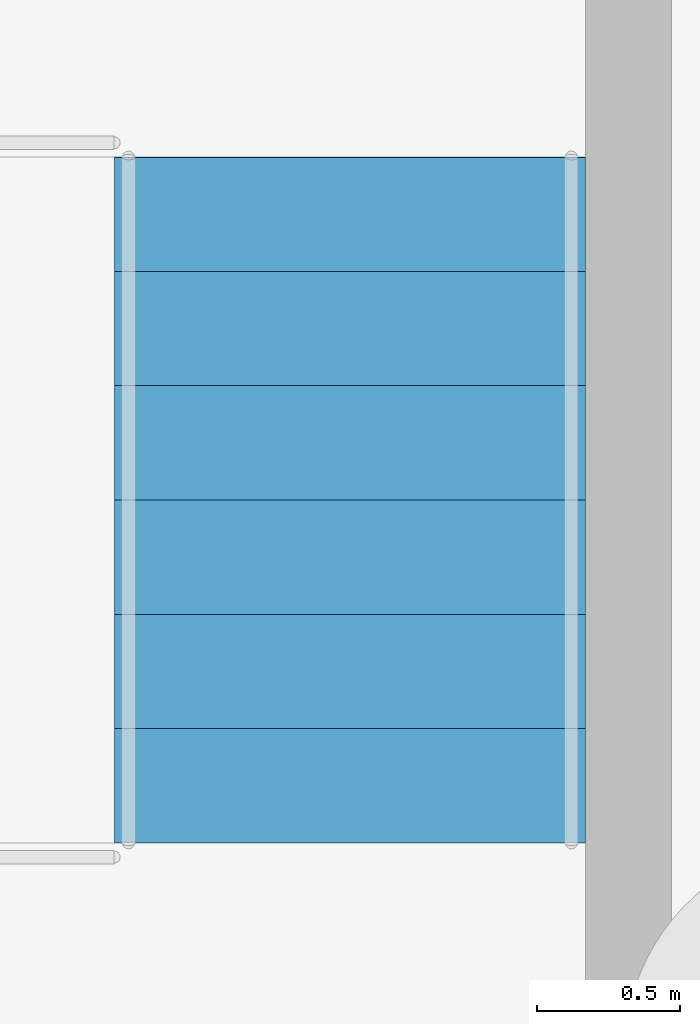
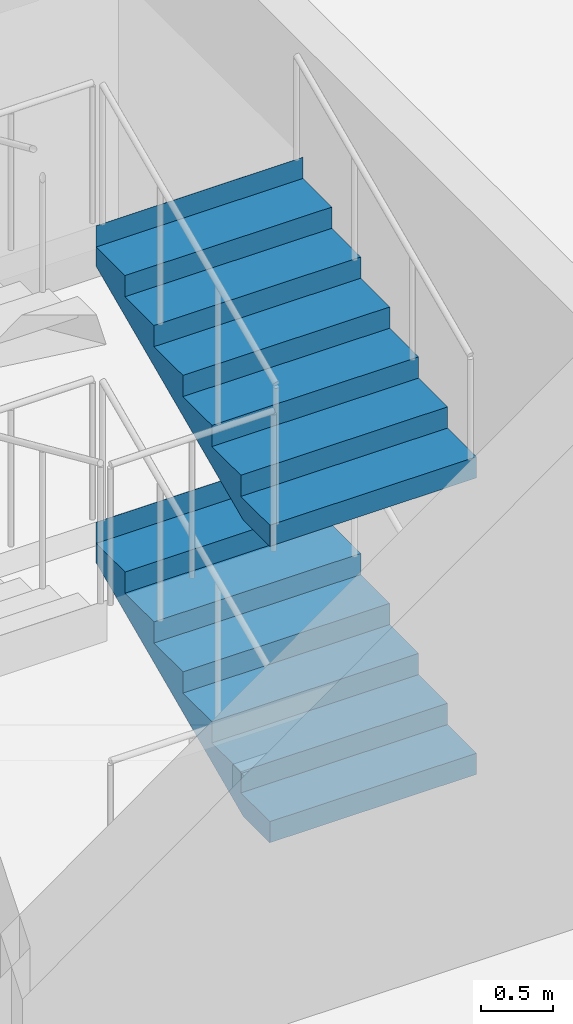
# One storey, part 16 of 19: 2 stair flights, 1 element without a shape of its own.
"""IFC4 building model written with IfcOpenShell, lengths in metres."""

import ifcopenshell
import ifcopenshell.guid

model = None  # the IFC model being written
_history = None  # IfcOwnerHistory: only IFC2X3 demands one
_inside = {}  # id of a spatial element -> (the spatial element, [elements in it])
_under = {}  # id of a project, library or spatial element -> (it, [spatial elements below it])
_declared = {}  # id of a project -> (the project, [libraries it declares])
_typed = {}  # id of a type object -> (the type object, [elements of that type])
_made_of = {}  # id of a material, layer set ... -> (it, [elements and type objects made of it])


def new_model(schema):
    """Start an empty IFC model of exactly this schema.

    Asked for "IFC4X3", IfcOpenShell would pick the latest addendum, in which some entities
    have other attributes; the version numbers below select the first issue.
    IFC2X3 requires an IfcOwnerHistory on every rooted entity: one is made here for all.
    """
    global model, _history
    if schema == "IFC4X3":
        model = ifcopenshell.file(schema_version=(4, 3, 0, 0))
    else:
        model = ifcopenshell.file(schema=schema)
    _inside.clear()
    _under.clear()
    _declared.clear()
    _typed.clear()
    _made_of.clear()
    _history = None
    if model.schema == "IFC2X3":
        org = make("IfcOrganization", Name="unknown")
        user = make(
            "IfcPersonAndOrganization",
            ThePerson=make("IfcPerson", FamilyName="unknown"),
            TheOrganization=org,
        )
        app = make(
            "IfcApplication",
            ApplicationDeveloper=org,
            Version="unknown",
            ApplicationFullName="unknown",
            ApplicationIdentifier="unknown",
        )
        _history = make(
            "IfcOwnerHistory",
            OwningUser=user,
            OwningApplication=app,
            ChangeAction="ADDED",
            CreationDate=0,
        )
    return model


def make(cls, **values):
    """One entity of the class cls with the attributes given. An attribute that is None is left unset."""
    return model.create_entity(
        cls, **{name: value for name, value in values.items() if value is not None}
    )


def rooted(cls, **values):
    """An entity with a GlobalId (a new one), such as an element, a storey or a relation."""
    return make(cls, GlobalId=ifcopenshell.guid.new(), OwnerHistory=_history, **values)


def si_unit(unit_type, name, prefix=None):
    """IfcSIUnit, for example si_unit("LENGTHUNIT", "METRE", prefix="MILLI")."""
    return make("IfcSIUnit", UnitType=unit_type, Prefix=prefix, Name=name)


def assignment(units):
    """IfcUnitAssignment: the units of a project."""
    return None if units is None else make("IfcUnitAssignment", Units=units)


def point(xyz):
    """IfcCartesianPoint."""
    return None if xyz is None else make("IfcCartesianPoint", Coordinates=xyz)


def direction(xyz):
    """IfcDirection."""
    return None if xyz is None else make("IfcDirection", DirectionRatios=xyz)


def frame(location, z_axis=None, x_axis=None):
    """IfcAxis2Placement3D, a coordinate frame: its origin and axes. An axis left out is left unset."""
    return make(
        "IfcAxis2Placement3D",
        Location=point(location),
        Axis=direction(z_axis),
        RefDirection=direction(x_axis),
    )


def origin():
    """The frame at (0, 0, 0) with its axes left unset."""
    return frame((0.0, 0.0, 0.0))


def place(relative_to, where):
    """IfcLocalPlacement: puts the frame where relative to a parent placement (None: the world)."""
    return make(
        "IfcLocalPlacement", PlacementRelTo=relative_to, RelativePlacement=where
    )


def context(
    kind, dimensions, precision=None, world=None, true_north=None, identifier=None
):
    """IfcGeometricRepresentationContext, for example the 3D "Model" context."""
    return make(
        "IfcGeometricRepresentationContext",
        ContextIdentifier=identifier,
        ContextType=kind,
        CoordinateSpaceDimension=dimensions,
        Precision=precision,
        WorldCoordinateSystem=world,
        TrueNorth=true_north,
    )


def subcontext(parent, identifier, kind, view, scale=None):
    """IfcGeometricRepresentationSubContext, for example "Body" below "Model"."""
    return make(
        "IfcGeometricRepresentationSubContext",
        ContextIdentifier=identifier,
        ContextType=kind,
        ParentContext=parent,
        TargetScale=scale,
        TargetView=view,
    )


def project(units=None, contexts=None):
    """IfcProject with its units and contexts."""
    return rooted(
        "IfcProject",
        Name="project",
        RepresentationContexts=contexts,
        UnitsInContext=assignment(units),
    )


def spatial(cls, under=None, at=None, **own):
    """A site, building, storey or space (cls), placed at a placement, below another one or the project."""
    s = rooted(cls, ObjectPlacement=at, **own)
    if under is not None:
        _under.setdefault(under.id(), (under, []))[1].append(s)
    return s


def point_list(points):
    """IfcCartesianPointList2D or 3D."""
    cls = (
        "IfcCartesianPointList2D" if len(points[0]) == 2 else "IfcCartesianPointList3D"
    )
    return make(cls, CoordList=points)


def triangles(points, corners, closed=None, point_numbers=None):
    """IfcTriangulatedFaceSet: each triangle names its three corners, points numbered from 1."""
    return make(
        "IfcTriangulatedFaceSet",
        Coordinates=point_list(points),
        Closed=closed,
        CoordIndex=corners,
        PnIndex=point_numbers,
    )


def shape(context_of_items, identifier, shape_type, items):
    """IfcShapeRepresentation: the items that make up one representation, for example the "Body"."""
    return make(
        "IfcShapeRepresentation",
        ContextOfItems=context_of_items,
        RepresentationIdentifier=identifier,
        RepresentationType=shape_type,
        Items=items,
    )


def material(Name=None, Category=None):
    """IfcMaterial."""
    return make("IfcMaterial", Name=Name, Category=Category)


def made_of(thing, what):
    """Note that an element or type object is made of a material, layer set ...; save() writes the relation."""
    if what is not None:
        _made_of.setdefault(what.id(), (what, []))[1].append(thing)
    return thing


def type_object(cls, material=None, **own):
    """A type object (cls), such as IfcWallType, which elements share."""
    return made_of(rooted(cls, **own), material)


def element(
    cls,
    number,
    at=None,
    inside=None,
    cuts=None,
    type_object=None,
    material=None,
    context=None,
    identifier="Body",
    shape_type=None,
    held_by="IfcProductDefinitionShape",
    body=None,
    shapes=None,
    **own,
):
    """One element of the class cls, such as IfcWall. Its Tag is "e" and its number.

    at: its placement. inside: the storey or other place that contains it. cuts: it is an
    opening in that element (IfcRelVoidsElement). A single representation is given by context,
    identifier, shape_type and body (its items); several are given by shapes. held_by: the class
    of the entity that holds the representations. save() writes the other relations.
    """
    e = rooted(cls, Tag="e%d" % number, ObjectPlacement=at, **own)
    if body is not None:
        shapes = [shape(context, identifier, shape_type, body)]
    if shapes is not None:
        e.Representation = make(held_by, Representations=shapes)
    if inside is not None:
        _inside.setdefault(inside.id(), (inside, []))[1].append(e)
    if cuts is not None:
        rooted(
            "IfcRelVoidsElement", RelatingBuildingElement=cuts, RelatedOpeningElement=e
        )
    if type_object is not None:
        _typed.setdefault(type_object.id(), (type_object, []))[1].append(e)
    return made_of(e, material)


def aggregate(whole, parts):
    """IfcRelAggregates: a whole, such as a stair, and the parts it consists of."""
    return rooted("IfcRelAggregates", RelatingObject=whole, RelatedObjects=parts)


def save(model, path):
    """Write the relations noted so far, then the file.

    IfcRelAggregates (storeys below a building ...), IfcRelContainedInSpatialStructure (elements
    in a storey), IfcRelDefinesByType, IfcRelAssociatesMaterial and IfcRelDeclares: one each for
    every whole, place, type object, material and project.
    """
    for whole, parts in _under.values():
        aggregate(whole, parts)
    for where, things in _inside.values():
        rooted(
            "IfcRelContainedInSpatialStructure",
            RelatedElements=things,
            RelatingStructure=where,
        )
    for kind, things in _typed.values():
        rooted("IfcRelDefinesByType", RelatedObjects=things, RelatingType=kind)
    for what, things in _made_of.values():
        rooted("IfcRelAssociatesMaterial", RelatedObjects=things, RelatingMaterial=what)
    for by, libraries in _declared.values():
        rooted("IfcRelDeclares", RelatingContext=by, RelatedDefinitions=libraries)
    model.write(path)


model = new_model("IFC4")

# Units and contexts
model_context = context("Model", 3, precision=1e-05, world=origin(), true_north=direction((0.0, 1.0)))
body_context = subcontext(model_context, "Body", "Model", "MODEL_VIEW")
ifc_project = project(units=[si_unit("LENGTHUNIT", "METRE"), si_unit("AREAUNIT", "SQUARE_METRE"), si_unit("VOLUMEUNIT", "CUBIC_METRE"), si_unit("PLANEANGLEUNIT", "RADIAN"), si_unit("MASSUNIT", "GRAM", prefix="KILO")], contexts=[model_context])

# Site, building, storey
site_placement = place(None, origin())
site = spatial("IfcSite", under=ifc_project, at=site_placement, CompositionType="ELEMENT")
building_placement = place(site_placement, origin())
building = spatial("IfcBuilding", under=site, at=building_placement, Name="Sahrelin Media Tower", CompositionType="ELEMENT")
storey_placement = place(building_placement, frame((0.0, 0.0, -5.0)))
storey = spatial("IfcBuildingStorey", under=building, at=storey_placement, Name="B1", CompositionType="ELEMENT", Elevation=-5.0)

# Stair, stair flights
ifc_material = material(Name="Concrete C40/50", Category="concrete")
stair_type = type_object("IfcStairType", Name="Podium stair 1650", PredefinedType="HALF_TURN_STAIR", material=ifc_material)
stair_placement = place(storey_placement, origin())
stair = element("IfcStair", 1, at=stair_placement, inside=storey, type_object=stair_type, Name="B1 Podium stair BS1", PredefinedType="HALF_TURN_STAIR")
stair_flight_type = type_object("IfcStairFlightType", Name="Stair flight 1650", PredefinedType="STRAIGHT", material=ifc_material)
stair_flight_1_placement = place(storey_placement, frame((1.47509765625, 18.64990234375, 0.0), z_axis=(0.0, 0.0, 1.0), x_axis=(0.0, 1.0, 0.0)))
stair_flight_1 = element("IfcStairFlight", 2, at=stair_flight_1_placement, type_object=stair_flight_type, Name="BS1 flight 1", NumberOfRisers=7, NumberOfTreads=6, PredefinedType="STRAIGHT", RiserHeight=0.178571429, TreadLength=0.4, context=body_context, shape_type="Tessellation", body=[
    triangles([(0.36767578125, 0.824951171875, 0.0), (0.36767578125, 0.494873046875, 0.0), (0.36767578125, 0.1650390625, 0.0), (0.36767578125, -0.1650390625, 0.0), (0.36767578125, -0.494873046875, 0.0), (0.36767578125, -0.824951171875, 0.0), (2.39990234375, 0.824951171875, 0.9072265625), (2.39990234375, 0.494873046875, 0.9072265625), (2.39990234375, 0.1650390625, 0.9072265625), (2.39990234375, -0.1650390625, 0.9072265625), (2.39990234375, -0.494873046875, 0.9072265625), (2.39990234375, -0.824951171875, 0.9072265625), (2.39990234375, 0.824951171875, 1.25), (2.39990234375, 0.494873046875, 1.25), (2.39990234375, 0.1650390625, 1.25), (2.39990234375, -0.1650390625, 1.25), (2.39990234375, -0.494873046875, 1.25), (2.39990234375, -0.824951171875, 1.25), (2.39794921875, 0.824951171875, 1.25), (2.39794921875, 0.494873046875, 1.25), (2.39794921875, 0.1650390625, 1.25), (2.39794921875, -0.1650390625, 1.25), (2.39794921875, -0.494873046875, 1.25), (2.39794921875, -0.824951171875, 1.25), (2.39794921875, 0.824951171875, 1.071533203125), (2.39794921875, 0.494873046875, 1.071533203125), (2.39794921875, 0.1650390625, 1.071533203125), (2.39794921875, -0.1650390625, 1.071533203125), (2.39794921875, -0.494873046875, 1.071533203125), (2.39794921875, -0.824951171875, 1.071533203125), (2.0, 0.824951171875, 1.071533203125), (2.0, 0.494873046875, 1.071533203125), (2.0, 0.1650390625, 1.071533203125), (2.0, -0.1650390625, 1.071533203125), (2.0, -0.494873046875, 1.071533203125), (2.0, -0.824951171875, 1.071533203125), (2.0, 0.824951171875, 0.892822265625), (2.0, 0.494873046875, 0.892822265625), (2.0, 0.1650390625, 0.892822265625), (2.0, -0.1650390625, 0.892822265625), (2.0, -0.494873046875, 0.892822265625), (2.0, -0.824951171875, 0.892822265625), (1.60009765625, 0.824951171875, 0.892822265625), (1.60009765625, 0.494873046875, 0.892822265625), (1.60009765625, 0.1650390625, 0.892822265625), (1.60009765625, -0.1650390625, 0.892822265625), (1.60009765625, -0.494873046875, 0.892822265625), (1.60009765625, -0.824951171875, 0.892822265625), (1.60009765625, 0.824951171875, 0.71435546875), (1.60009765625, 0.494873046875, 0.71435546875), (1.60009765625, 0.1650390625, 0.71435546875), (1.60009765625, -0.1650390625, 0.71435546875), (1.60009765625, -0.494873046875, 0.71435546875), (1.60009765625, -0.824951171875, 0.71435546875), (1.199951171875, 0.824951171875, 0.71435546875), (1.199951171875, 0.494873046875, 0.71435546875), (1.199951171875, 0.1650390625, 0.71435546875), (1.199951171875, -0.1650390625, 0.71435546875), (1.199951171875, -0.494873046875, 0.71435546875), (1.199951171875, -0.824951171875, 0.71435546875), (1.199951171875, 0.824951171875, 0.53564453125), (1.199951171875, 0.494873046875, 0.53564453125), (1.199951171875, 0.1650390625, 0.53564453125), (1.199951171875, -0.1650390625, 0.53564453125), (1.199951171875, -0.494873046875, 0.53564453125), (1.199951171875, -0.824951171875, 0.53564453125), (0.800048828125, 0.824951171875, 0.53564453125), (0.800048828125, 0.494873046875, 0.53564453125), (0.800048828125, 0.1650390625, 0.53564453125), (0.800048828125, -0.1650390625, 0.53564453125), (0.800048828125, -0.494873046875, 0.53564453125), (0.800048828125, -0.824951171875, 0.53564453125), (0.800048828125, 0.824951171875, 0.357177734375), (0.800048828125, 0.494873046875, 0.357177734375), (0.800048828125, 0.1650390625, 0.357177734375), (0.800048828125, -0.1650390625, 0.357177734375), (0.800048828125, -0.494873046875, 0.357177734375), (0.800048828125, -0.824951171875, 0.357177734375), (0.39990234375, 0.824951171875, 0.357177734375), (0.39990234375, 0.494873046875, 0.357177734375), (0.39990234375, 0.1650390625, 0.357177734375), (0.39990234375, -0.1650390625, 0.357177734375), (0.39990234375, -0.494873046875, 0.357177734375), (0.39990234375, -0.824951171875, 0.357177734375), (0.39990234375, 0.824951171875, 0.178466796875), (0.39990234375, 0.494873046875, 0.178466796875), (0.39990234375, 0.1650390625, 0.178466796875), (0.39990234375, -0.1650390625, 0.178466796875), (0.39990234375, -0.494873046875, 0.178466796875), (0.39990234375, -0.824951171875, 0.178466796875), (0.0, 0.824951171875, 0.178466796875), (0.0, 0.494873046875, 0.178466796875), (0.0, 0.1650390625, 0.178466796875), (0.0, -0.1650390625, 0.178466796875), (0.0, -0.494873046875, 0.178466796875), (0.0, -0.824951171875, 0.178466796875), (0.0, 0.824951171875, 0.0), (0.0, 0.494873046875, 0.0), (0.0, 0.1650390625, 0.0), (0.0, -0.1650390625, 0.0), (0.0, -0.494873046875, 0.0), (0.0, -0.824951171875, 0.0)], [[1, 7, 8], [1, 8, 2], [2, 8, 9], [2, 9, 3], [3, 9, 10], [3, 10, 4], [4, 10, 11], [4, 11, 5], [5, 11, 12], [5, 12, 6], [7, 13, 14], [7, 14, 8], [8, 14, 15], [8, 15, 9], [9, 15, 16], [9, 16, 10], [10, 16, 17], [10, 17, 11], [11, 17, 18], [11, 18, 12], [13, 19, 20], [13, 20, 14], [14, 20, 21], [14, 21, 15], [15, 21, 22], [15, 22, 16], [16, 22, 23], [16, 23, 17], [17, 23, 24], [17, 24, 18], [19, 25, 26], [19, 26, 20], [20, 26, 27], [20, 27, 21], [21, 27, 28], [21, 28, 22], [22, 28, 29], [22, 29, 23], [23, 29, 30], [23, 30, 24], [25, 31, 32], [25, 32, 26], [26, 32, 33], [26, 33, 27], [27, 33, 34], [27, 34, 28], [28, 34, 35], [28, 35, 29], [29, 35, 36], [29, 36, 30], [31, 37, 38], [31, 38, 32], [32, 38, 39], [32, 39, 33], [33, 39, 40], [33, 40, 34], [34, 40, 41], [34, 41, 35], [35, 41, 42], [35, 42, 36], [37, 43, 44], [37, 44, 38], [38, 44, 45], [38, 45, 39], [39, 45, 46], [39, 46, 40], [40, 46, 47], [40, 47, 41], [41, 47, 48], [41, 48, 42], [43, 49, 50], [43, 50, 44], [44, 50, 51], [44, 51, 45], [45, 51, 52], [45, 52, 46], [46, 52, 53], [46, 53, 47], [47, 53, 54], [47, 54, 48], [49, 55, 56], [49, 56, 50], [50, 56, 57], [50, 57, 51], [51, 57, 58], [51, 58, 52], [52, 58, 59], [52, 59, 53], [53, 59, 60], [53, 60, 54], [55, 61, 62], [55, 62, 56], [56, 62, 63], [56, 63, 57], [57, 63, 64], [57, 64, 58], [58, 64, 65], [58, 65, 59], [59, 65, 66], [59, 66, 60], [61, 67, 68], [61, 68, 62], [62, 68, 69], [62, 69, 63], [63, 69, 70], [63, 70, 64], [64, 70, 71], [64, 71, 65], [65, 71, 72], [65, 72, 66], [67, 73, 74], [67, 74, 68], [68, 74, 75], [68, 75, 69], [69, 75, 76], [69, 76, 70], [70, 76, 77], [70, 77, 71], [71, 77, 78], [71, 78, 72], [73, 79, 80], [73, 80, 74], [74, 80, 81], [74, 81, 75], [75, 81, 82], [75, 82, 76], [76, 82, 83], [76, 83, 77], [77, 83, 84], [77, 84, 78], [79, 85, 86], [79, 86, 80], [80, 86, 87], [80, 87, 81], [81, 87, 88], [81, 88, 82], [82, 88, 89], [82, 89, 83], [83, 89, 90], [83, 90, 84], [85, 91, 92], [85, 92, 86], [86, 92, 93], [86, 93, 87], [87, 93, 94], [87, 94, 88], [88, 94, 95], [88, 95, 89], [89, 95, 96], [89, 96, 90], [91, 97, 98], [91, 98, 92], [92, 98, 99], [92, 99, 93], [93, 99, 100], [93, 100, 94], [94, 100, 101], [94, 101, 95], [95, 101, 102], [95, 102, 96], [97, 1, 2], [97, 2, 98], [98, 2, 3], [98, 3, 99], [99, 3, 4], [99, 4, 100], [100, 4, 5], [100, 5, 101], [101, 5, 6], [101, 6, 102], [6, 96, 102], [1, 97, 91], [90, 78, 84], [85, 79, 73], [78, 66, 72], [73, 67, 61], [66, 54, 60], [61, 55, 49], [54, 42, 48], [49, 43, 37], [12, 30, 36], [7, 31, 25], [30, 18, 24], [25, 19, 13], [6, 90, 96], [1, 91, 85], [6, 12, 66], [1, 61, 7], [30, 12, 18], [25, 13, 7], [78, 90, 6], [73, 1, 85], [36, 42, 12], [31, 7, 37], [66, 78, 6], [61, 1, 73], [54, 12, 42], [49, 37, 7], [12, 54, 66], [7, 61, 49]], closed=True),
])
stair_flight_2_placement = place(storey_placement, frame((1.47509765625, 18.64990234375, 2.5), z_axis=(0.0, 0.0, 1.0), x_axis=(0.0, 1.0, 0.0)))
stair_flight_2 = element("IfcStairFlight", 3, at=stair_flight_2_placement, type_object=stair_flight_type, Name="BS1 flight 3", NumberOfRisers=7, NumberOfTreads=6, PredefinedType="STRAIGHT", RiserHeight=0.178571429, TreadLength=0.4, context=body_context, shape_type="Tessellation", body=[
    triangles([(0.36767578125, 0.824951171875, 0.0), (0.36767578125, 0.494873046875, 0.0), (0.36767578125, 0.1650390625, 0.0), (0.36767578125, -0.1650390625, 0.0), (0.36767578125, -0.494873046875, 0.0), (0.36767578125, -0.824951171875, 0.0), (2.39990234375, 0.824951171875, 0.9072265625), (2.39990234375, 0.494873046875, 0.9072265625), (2.39990234375, 0.1650390625, 0.9072265625), (2.39990234375, -0.1650390625, 0.9072265625), (2.39990234375, -0.494873046875, 0.9072265625), (2.39990234375, -0.824951171875, 0.9072265625), (2.39990234375, 0.824951171875, 1.25), (2.39990234375, 0.494873046875, 1.25), (2.39990234375, 0.1650390625, 1.25), (2.39990234375, -0.1650390625, 1.25), (2.39990234375, -0.494873046875, 1.25), (2.39990234375, -0.824951171875, 1.25), (2.39794921875, 0.824951171875, 1.25), (2.39794921875, 0.494873046875, 1.25), (2.39794921875, 0.1650390625, 1.25), (2.39794921875, -0.1650390625, 1.25), (2.39794921875, -0.494873046875, 1.25), (2.39794921875, -0.824951171875, 1.25), (2.39794921875, 0.824951171875, 1.071533203125), (2.39794921875, 0.494873046875, 1.071533203125), (2.39794921875, 0.1650390625, 1.071533203125), (2.39794921875, -0.1650390625, 1.071533203125), (2.39794921875, -0.494873046875, 1.071533203125), (2.39794921875, -0.824951171875, 1.071533203125), (2.0, 0.824951171875, 1.071533203125), (2.0, 0.494873046875, 1.071533203125), (2.0, 0.1650390625, 1.071533203125), (2.0, -0.1650390625, 1.071533203125), (2.0, -0.494873046875, 1.071533203125), (2.0, -0.824951171875, 1.071533203125), (2.0, 0.824951171875, 0.892822265625), (2.0, 0.494873046875, 0.892822265625), (2.0, 0.1650390625, 0.892822265625), (2.0, -0.1650390625, 0.892822265625), (2.0, -0.494873046875, 0.892822265625), (2.0, -0.824951171875, 0.892822265625), (1.60009765625, 0.824951171875, 0.892822265625), (1.60009765625, 0.494873046875, 0.892822265625), (1.60009765625, 0.1650390625, 0.892822265625), (1.60009765625, -0.1650390625, 0.892822265625), (1.60009765625, -0.494873046875, 0.892822265625), (1.60009765625, -0.824951171875, 0.892822265625), (1.60009765625, 0.824951171875, 0.71435546875), (1.60009765625, 0.494873046875, 0.71435546875), (1.60009765625, 0.1650390625, 0.71435546875), (1.60009765625, -0.1650390625, 0.71435546875), (1.60009765625, -0.494873046875, 0.71435546875), (1.60009765625, -0.824951171875, 0.71435546875), (1.199951171875, 0.824951171875, 0.71435546875), (1.199951171875, 0.494873046875, 0.71435546875), (1.199951171875, 0.1650390625, 0.71435546875), (1.199951171875, -0.1650390625, 0.71435546875), (1.199951171875, -0.494873046875, 0.71435546875), (1.199951171875, -0.824951171875, 0.71435546875), (1.199951171875, 0.824951171875, 0.53564453125), (1.199951171875, 0.494873046875, 0.53564453125), (1.199951171875, 0.1650390625, 0.53564453125), (1.199951171875, -0.1650390625, 0.53564453125), (1.199951171875, -0.494873046875, 0.53564453125), (1.199951171875, -0.824951171875, 0.53564453125), (0.800048828125, 0.824951171875, 0.53564453125), (0.800048828125, 0.494873046875, 0.53564453125), (0.800048828125, 0.1650390625, 0.53564453125), (0.800048828125, -0.1650390625, 0.53564453125), (0.800048828125, -0.494873046875, 0.53564453125), (0.800048828125, -0.824951171875, 0.53564453125), (0.800048828125, 0.824951171875, 0.357177734375), (0.800048828125, 0.494873046875, 0.357177734375), (0.800048828125, 0.1650390625, 0.357177734375), (0.800048828125, -0.1650390625, 0.357177734375), (0.800048828125, -0.494873046875, 0.357177734375), (0.800048828125, -0.824951171875, 0.357177734375), (0.39990234375, 0.824951171875, 0.357177734375), (0.39990234375, 0.494873046875, 0.357177734375), (0.39990234375, 0.1650390625, 0.357177734375), (0.39990234375, -0.1650390625, 0.357177734375), (0.39990234375, -0.494873046875, 0.357177734375), (0.39990234375, -0.824951171875, 0.357177734375), (0.39990234375, 0.824951171875, 0.178466796875), (0.39990234375, 0.494873046875, 0.178466796875), (0.39990234375, 0.1650390625, 0.178466796875), (0.39990234375, -0.1650390625, 0.178466796875), (0.39990234375, -0.494873046875, 0.178466796875), (0.39990234375, -0.824951171875, 0.178466796875), (0.0, 0.824951171875, 0.178466796875), (0.0, 0.494873046875, 0.178466796875), (0.0, 0.1650390625, 0.178466796875), (0.0, -0.1650390625, 0.178466796875), (0.0, -0.494873046875, 0.178466796875), (0.0, -0.824951171875, 0.178466796875), (0.0, 0.824951171875, 0.0), (0.0, 0.494873046875, 0.0), (0.0, 0.1650390625, 0.0), (0.0, -0.1650390625, 0.0), (0.0, -0.494873046875, 0.0), (0.0, -0.824951171875, 0.0)], [[1, 7, 8], [1, 8, 2], [2, 8, 9], [2, 9, 3], [3, 9, 10], [3, 10, 4], [4, 10, 11], [4, 11, 5], [5, 11, 12], [5, 12, 6], [7, 13, 14], [7, 14, 8], [8, 14, 15], [8, 15, 9], [9, 15, 16], [9, 16, 10], [10, 16, 17], [10, 17, 11], [11, 17, 18], [11, 18, 12], [13, 19, 20], [13, 20, 14], [14, 20, 21], [14, 21, 15], [15, 21, 22], [15, 22, 16], [16, 22, 23], [16, 23, 17], [17, 23, 24], [17, 24, 18], [19, 25, 26], [19, 26, 20], [20, 26, 27], [20, 27, 21], [21, 27, 28], [21, 28, 22], [22, 28, 29], [22, 29, 23], [23, 29, 30], [23, 30, 24], [25, 31, 32], [25, 32, 26], [26, 32, 33], [26, 33, 27], [27, 33, 34], [27, 34, 28], [28, 34, 35], [28, 35, 29], [29, 35, 36], [29, 36, 30], [31, 37, 38], [31, 38, 32], [32, 38, 39], [32, 39, 33], [33, 39, 40], [33, 40, 34], [34, 40, 41], [34, 41, 35], [35, 41, 42], [35, 42, 36], [37, 43, 44], [37, 44, 38], [38, 44, 45], [38, 45, 39], [39, 45, 46], [39, 46, 40], [40, 46, 47], [40, 47, 41], [41, 47, 48], [41, 48, 42], [43, 49, 50], [43, 50, 44], [44, 50, 51], [44, 51, 45], [45, 51, 52], [45, 52, 46], [46, 52, 53], [46, 53, 47], [47, 53, 54], [47, 54, 48], [49, 55, 56], [49, 56, 50], [50, 56, 57], [50, 57, 51], [51, 57, 58], [51, 58, 52], [52, 58, 59], [52, 59, 53], [53, 59, 60], [53, 60, 54], [55, 61, 62], [55, 62, 56], [56, 62, 63], [56, 63, 57], [57, 63, 64], [57, 64, 58], [58, 64, 65], [58, 65, 59], [59, 65, 66], [59, 66, 60], [61, 67, 68], [61, 68, 62], [62, 68, 69], [62, 69, 63], [63, 69, 70], [63, 70, 64], [64, 70, 71], [64, 71, 65], [65, 71, 72], [65, 72, 66], [67, 73, 74], [67, 74, 68], [68, 74, 75], [68, 75, 69], [69, 75, 76], [69, 76, 70], [70, 76, 77], [70, 77, 71], [71, 77, 78], [71, 78, 72], [73, 79, 80], [73, 80, 74], [74, 80, 81], [74, 81, 75], [75, 81, 82], [75, 82, 76], [76, 82, 83], [76, 83, 77], [77, 83, 84], [77, 84, 78], [79, 85, 86], [79, 86, 80], [80, 86, 87], [80, 87, 81], [81, 87, 88], [81, 88, 82], [82, 88, 89], [82, 89, 83], [83, 89, 90], [83, 90, 84], [85, 91, 92], [85, 92, 86], [86, 92, 93], [86, 93, 87], [87, 93, 94], [87, 94, 88], [88, 94, 95], [88, 95, 89], [89, 95, 96], [89, 96, 90], [91, 97, 98], [91, 98, 92], [92, 98, 99], [92, 99, 93], [93, 99, 100], [93, 100, 94], [94, 100, 101], [94, 101, 95], [95, 101, 102], [95, 102, 96], [97, 1, 2], [97, 2, 98], [98, 2, 3], [98, 3, 99], [99, 3, 4], [99, 4, 100], [100, 4, 5], [100, 5, 101], [101, 5, 6], [101, 6, 102], [6, 96, 102], [1, 97, 91], [90, 78, 84], [85, 79, 73], [78, 66, 72], [73, 67, 61], [66, 54, 60], [61, 55, 49], [54, 42, 48], [49, 43, 37], [12, 30, 36], [7, 31, 25], [30, 18, 24], [25, 19, 13], [6, 90, 96], [1, 91, 85], [6, 12, 66], [1, 61, 7], [30, 12, 18], [25, 13, 7], [78, 90, 6], [73, 1, 85], [36, 42, 12], [31, 7, 37], [66, 78, 6], [61, 1, 73], [54, 12, 42], [49, 37, 7], [12, 54, 66], [7, 61, 49]], closed=True),
])
aggregate(stair, [stair_flight_1, stair_flight_2])

save(model, "model.ifc")
